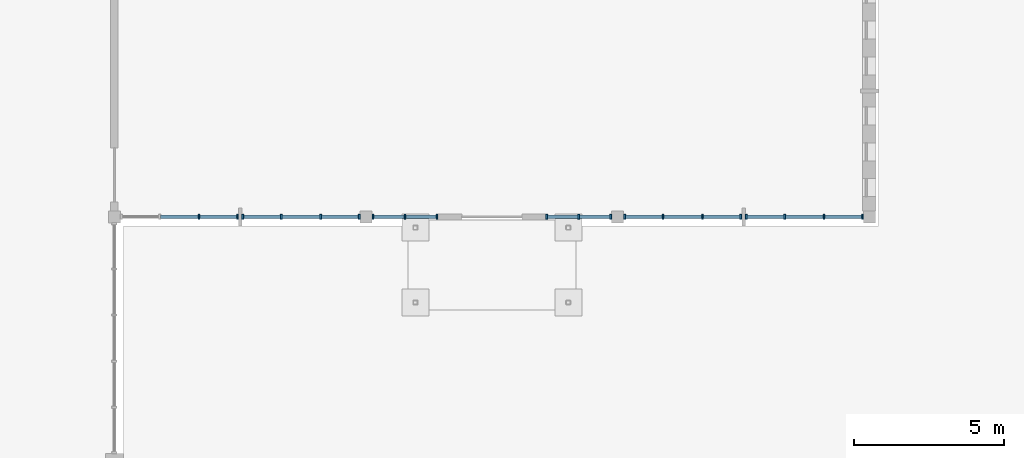
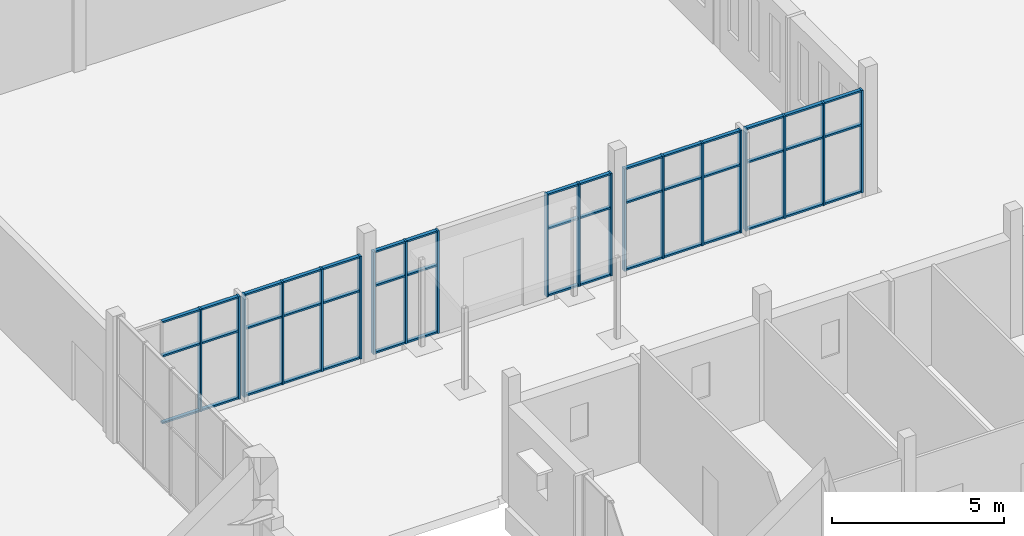
# One storey, part 24 of 60: 65 members, 6 elements without a shape of their own.
"""IFC4 building model written with IfcOpenShell, lengths in metres."""

from ifc_helpers import new_model, si_unit, direction, frame, origin, origin_2d, place, context, subcontext, project, spatial, rectangle, extrude, material, material_profile, profile_set, type_object, element, aggregate, save


model = new_model("IFC4")

# Units and contexts
model_context = context("Model", 3, precision=1e-05, world=origin(), true_north=direction((0.0, 1.0)))
body_context = subcontext(model_context, "Body", "Model", "MODEL_VIEW")
ifc_project = project(units=[si_unit("LENGTHUNIT", "METRE"), si_unit("AREAUNIT", "SQUARE_METRE"), si_unit("VOLUMEUNIT", "CUBIC_METRE"), si_unit("PLANEANGLEUNIT", "RADIAN"), si_unit("MASSUNIT", "GRAM", prefix="KILO")], contexts=[model_context])

# Site, building, storey
site_placement = place(None, origin())
site = spatial("IfcSite", under=ifc_project, at=site_placement, CompositionType="ELEMENT")
building_placement = place(site_placement, origin())
building = spatial("IfcBuilding", under=site, at=building_placement, Name="Fescue Hill Polytechnic", CompositionType="ELEMENT")
storey_placement = place(building_placement, frame((0.0, 0.0, 4.5)))
storey = spatial("IfcBuildingStorey", under=building, at=storey_placement, Name="L01", CompositionType="ELEMENT", Elevation=4.5)

# Curtain wall, members
ifc_material_1 = material(Name="Glass", Category="glass")
curtain_wall_type = type_object("IfcCurtainWallType", Name="Curtain wall structural glazing", PredefinedType="NOTDEFINED", material=ifc_material_1)
curtain_wall_1_placement = place(storey_placement, origin())
curtain_wall_1 = element("IfcCurtainWall", 1, at=curtain_wall_1_placement, inside=storey, type_object=curtain_wall_type, Name="CW-L01-V2-1", PredefinedType="NOTDEFINED")
ifc_material_2 = material(Name="Powder-coated aluminium", Category="aluminium")
ifc_material_profile_1 = material_profile(ifc_material_2, rectangle(XDim=0.159912109375, YDim=0.06005859375, at=origin_2d()), Name="Mullion aluminium 60x160")
ifc_profile_set_1 = profile_set([ifc_material_profile_1], Name="Powder-coated aluminium")
member_type_1 = type_object("IfcMemberType", Name="Mullion aluminium 60x160", PredefinedType="MULLION", material=ifc_profile_set_1)
member_1_placement = place(storey_placement, frame((120.4267578125, 58.800048828125, 0.0), z_axis=(0.0, 0.0, 1.0), x_axis=(0.0, 1.0, 0.0)))
member_1 = element("IfcMember", 2, at=member_1_placement, type_object=member_type_1, Name="CW41 mullion 3", PredefinedType="MULLION", context=body_context, shape_type="SweptSolid", body=[
    extrude(rectangle(XDim=0.159912109375, YDim=0.06005859375, at=origin_2d()), origin(), (0.0, 0.0, 1.0), 3.6298828125),
])
member_2_placement = place(storey_placement, frame((121.7099609375, 58.800048828125, 0.0), z_axis=(0.0, 0.0, 1.0), x_axis=(0.0, 1.0, 0.0)))
member_2 = element("IfcMember", 3, at=member_2_placement, type_object=member_type_1, Name="CW41 mullion 4", PredefinedType="MULLION", context=body_context, shape_type="SweptSolid", body=[
    extrude(rectangle(XDim=0.159912109375, YDim=0.06005859375, at=origin_2d()), origin(), (0.0, 0.0, 1.0), 3.6298828125),
])

curtain_wall_2_placement = place(storey_placement, origin())
curtain_wall_2 = element("IfcCurtainWall", 4, at=curtain_wall_2_placement, inside=storey, type_object=curtain_wall_type, Name="CW-L01-V2-2", PredefinedType="NOTDEFINED")
member_3_placement = place(storey_placement, frame((121.889892578125, 58.800048828125, 0.0), z_axis=(0.0, 0.0, 1.0), x_axis=(0.0, 1.0, 0.0)))
member_3 = element("IfcMember", 5, at=member_3_placement, type_object=member_type_1, Name="CW42 mullion 1", PredefinedType="MULLION", context=body_context, shape_type="SweptSolid", body=[
    extrude(rectangle(XDim=0.159912109375, YDim=0.06005859375, at=origin_2d()), origin(), (0.0, 0.0, 1.0), 3.6298828125),
])
member_4_placement = place(storey_placement, frame((123.17333984375, 58.800048828125, 0.0), z_axis=(0.0, 0.0, 1.0), x_axis=(0.0, 1.0, 0.0)))
member_4 = element("IfcMember", 6, at=member_4_placement, type_object=member_type_1, Name="CW42 mullion 2", PredefinedType="MULLION", context=body_context, shape_type="SweptSolid", body=[
    extrude(rectangle(XDim=0.159912109375, YDim=0.06005859375, at=origin_2d()), origin(), (0.0, 0.0, 1.0), 3.6298828125),
])
member_5_placement = place(storey_placement, frame((124.486572265625, 58.800048828125, 0.0), z_axis=(0.0, 0.0, 1.0), x_axis=(0.0, 1.0, 0.0)))
member_5 = element("IfcMember", 7, at=member_5_placement, type_object=member_type_1, Name="CW42 mullion 3", PredefinedType="MULLION", context=body_context, shape_type="SweptSolid", body=[
    extrude(rectangle(XDim=0.159912109375, YDim=0.06005859375, at=origin_2d()), origin(), (0.0, 0.0, 1.0), 3.6298828125),
])
member_6_placement = place(storey_placement, frame((125.77001953125, 58.800048828125, 0.0), z_axis=(0.0, 0.0, 1.0), x_axis=(0.0, 1.0, 0.0)))
member_6 = element("IfcMember", 8, at=member_6_placement, type_object=member_type_1, Name="CW42 mullion 4", PredefinedType="MULLION", context=body_context, shape_type="SweptSolid", body=[
    extrude(rectangle(XDim=0.159912109375, YDim=0.06005859375, at=origin_2d()), origin(), (0.0, 0.0, 1.0), 3.6298828125),
])

curtain_wall_3_placement = place(storey_placement, origin())
curtain_wall_3 = element("IfcCurtainWall", 9, at=curtain_wall_3_placement, inside=storey, type_object=curtain_wall_type, Name="CW-L01-V2-3", PredefinedType="NOTDEFINED")
member_7_placement = place(storey_placement, frame((126.22998046875, 58.800048828125, 0.0), z_axis=(0.0, 0.0, 1.0), x_axis=(0.0, 1.0, 0.0)))
member_7 = element("IfcMember", 10, at=member_7_placement, type_object=member_type_1, Name="CW43 mullion 1", PredefinedType="MULLION", context=body_context, shape_type="SweptSolid", body=[
    extrude(rectangle(XDim=0.159912109375, YDim=0.06005859375, at=origin_2d()), origin(), (0.0, 0.0, 1.0), 3.6298828125),
])
member_8_placement = place(storey_placement, frame((127.300048828125, 58.800048828125, 0.0), z_axis=(0.0, 0.0, 1.0), x_axis=(0.0, 1.0, 0.0)))
member_8 = element("IfcMember", 11, at=member_8_placement, type_object=member_type_1, Name="CW43 mullion 2", PredefinedType="MULLION", context=body_context, shape_type="SweptSolid", body=[
    extrude(rectangle(XDim=0.159912109375, YDim=0.06005859375, at=origin_2d()), origin(), (0.0, 0.0, 1.0), 3.6298828125),
])
member_9_placement = place(storey_placement, frame((128.3701171875, 58.800048828125, 0.0), z_axis=(0.0, 0.0, 1.0), x_axis=(0.0, 1.0, 0.0)))
member_9 = element("IfcMember", 12, at=member_9_placement, type_object=member_type_1, Name="CW43 mullion 3", PredefinedType="MULLION", context=body_context, shape_type="SweptSolid", body=[
    extrude(rectangle(XDim=0.159912109375, YDim=0.06005859375, at=origin_2d()), origin(), (0.0, 0.0, 1.0), 3.6298828125),
])

curtain_wall_4_placement = place(storey_placement, origin())
curtain_wall_4 = element("IfcCurtainWall", 13, at=curtain_wall_4_placement, inside=storey, type_object=curtain_wall_type, Name="CW-L01-V2-4", PredefinedType="NOTDEFINED")
member_10_placement = place(storey_placement, frame((132.030029296875, 58.800048828125, 0.0), z_axis=(0.0, 0.0, 1.0), x_axis=(0.0, 1.0, 0.0)))
member_10 = element("IfcMember", 14, at=member_10_placement, type_object=member_type_1, Name="CW44 mullion 1", PredefinedType="MULLION", context=body_context, shape_type="SweptSolid", body=[
    extrude(rectangle(XDim=0.159912109375, YDim=0.06005859375, at=origin_2d()), origin(), (0.0, 0.0, 1.0), 3.6298828125),
])
member_11_placement = place(storey_placement, frame((133.10009765625, 58.800048828125, 0.0), z_axis=(0.0, 0.0, 1.0), x_axis=(0.0, 1.0, 0.0)))
member_11 = element("IfcMember", 15, at=member_11_placement, type_object=member_type_1, Name="CW44 mullion 2", PredefinedType="MULLION", context=body_context, shape_type="SweptSolid", body=[
    extrude(rectangle(XDim=0.159912109375, YDim=0.06005859375, at=origin_2d()), origin(), (0.0, 0.0, 1.0), 3.6298828125),
])
member_12_placement = place(storey_placement, frame((134.169921875, 58.800048828125, 0.0), z_axis=(0.0, 0.0, 1.0), x_axis=(0.0, 1.0, 0.0)))
member_12 = element("IfcMember", 16, at=member_12_placement, type_object=member_type_1, Name="CW44 mullion 3", PredefinedType="MULLION", context=body_context, shape_type="SweptSolid", body=[
    extrude(rectangle(XDim=0.159912109375, YDim=0.06005859375, at=origin_2d()), origin(), (0.0, 0.0, 1.0), 3.6298828125),
])

curtain_wall_5_placement = place(storey_placement, origin())
curtain_wall_5 = element("IfcCurtainWall", 17, at=curtain_wall_5_placement, inside=storey, type_object=curtain_wall_type, Name="CW-L01-V2-5", PredefinedType="NOTDEFINED")
member_13_placement = place(storey_placement, frame((134.6298828125, 58.800048828125, 0.0), z_axis=(0.0, 0.0, 1.0), x_axis=(0.0, 1.0, 0.0)))
member_13 = element("IfcMember", 18, at=member_13_placement, type_object=member_type_1, Name="CW45 mullion 1", PredefinedType="MULLION", context=body_context, shape_type="SweptSolid", body=[
    extrude(rectangle(XDim=0.159912109375, YDim=0.06005859375, at=origin_2d()), origin(), (0.0, 0.0, 1.0), 3.6298828125),
])
member_14_placement = place(storey_placement, frame((135.913330078125, 58.800048828125, 0.0), z_axis=(0.0, 0.0, 1.0), x_axis=(0.0, 1.0, 0.0)))
member_14 = element("IfcMember", 19, at=member_14_placement, type_object=member_type_1, Name="CW45 mullion 2", PredefinedType="MULLION", context=body_context, shape_type="SweptSolid", body=[
    extrude(rectangle(XDim=0.159912109375, YDim=0.06005859375, at=origin_2d()), origin(), (0.0, 0.0, 1.0), 3.6298828125),
])
member_15_placement = place(storey_placement, frame((137.2265625, 58.800048828125, 0.0), z_axis=(0.0, 0.0, 1.0), x_axis=(0.0, 1.0, 0.0)))
member_15 = element("IfcMember", 20, at=member_15_placement, type_object=member_type_1, Name="CW45 mullion 3", PredefinedType="MULLION", context=body_context, shape_type="SweptSolid", body=[
    extrude(rectangle(XDim=0.159912109375, YDim=0.06005859375, at=origin_2d()), origin(), (0.0, 0.0, 1.0), 3.6298828125),
])
member_16_placement = place(storey_placement, frame((138.510009765625, 58.800048828125, 0.0), z_axis=(0.0, 0.0, 1.0), x_axis=(0.0, 1.0, 0.0)))
member_16 = element("IfcMember", 21, at=member_16_placement, type_object=member_type_1, Name="CW45 mullion 4", PredefinedType="MULLION", context=body_context, shape_type="SweptSolid", body=[
    extrude(rectangle(XDim=0.159912109375, YDim=0.06005859375, at=origin_2d()), origin(), (0.0, 0.0, 1.0), 3.6298828125),
])

curtain_wall_6_placement = place(storey_placement, origin())
curtain_wall_6 = element("IfcCurtainWall", 22, at=curtain_wall_6_placement, inside=storey, type_object=curtain_wall_type, Name="CW-L01-V2-6", PredefinedType="NOTDEFINED")
member_17_placement = place(storey_placement, frame((138.68994140625, 58.800048828125, 0.0), z_axis=(0.0, 0.0, 1.0), x_axis=(0.0, 1.0, 0.0)))
member_17 = element("IfcMember", 23, at=member_17_placement, type_object=member_type_1, Name="CW46 mullion 1", PredefinedType="MULLION", context=body_context, shape_type="SweptSolid", body=[
    extrude(rectangle(XDim=0.159912109375, YDim=0.06005859375, at=origin_2d()), origin(), (0.0, 0.0, 1.0), 3.6298828125),
])
member_18_placement = place(storey_placement, frame((139.973388671875, 58.800048828125, 0.0), z_axis=(0.0, 0.0, 1.0), x_axis=(0.0, 1.0, 0.0)))
member_18 = element("IfcMember", 24, at=member_18_placement, type_object=member_type_1, Name="CW46 mullion 2", PredefinedType="MULLION", context=body_context, shape_type="SweptSolid", body=[
    extrude(rectangle(XDim=0.159912109375, YDim=0.06005859375, at=origin_2d()), origin(), (0.0, 0.0, 1.0), 3.6298828125),
])
member_19_placement = place(storey_placement, frame((141.28662109375, 58.800048828125, 0.0), z_axis=(0.0, 0.0, 1.0), x_axis=(0.0, 1.0, 0.0)))
member_19 = element("IfcMember", 25, at=member_19_placement, type_object=member_type_1, Name="CW46 mullion 3", PredefinedType="MULLION", context=body_context, shape_type="SweptSolid", body=[
    extrude(rectangle(XDim=0.159912109375, YDim=0.06005859375, at=origin_2d()), origin(), (0.0, 0.0, 1.0), 3.6298828125),
])
member_20_placement = place(storey_placement, frame((142.570068359375, 58.800048828125, 0.0), z_axis=(0.0, 0.0, 1.0), x_axis=(0.0, 1.0, 0.0)))
member_20 = element("IfcMember", 26, at=member_20_placement, type_object=member_type_1, Name="CW46 mullion 4", PredefinedType="MULLION", context=body_context, shape_type="SweptSolid", body=[
    extrude(rectangle(XDim=0.159912109375, YDim=0.06005859375, at=origin_2d()), origin(), (0.0, 0.0, 1.0), 3.6298828125),
])

# Member
ifc_material_profile_2 = material_profile(ifc_material_2, rectangle(XDim=0.1201171875, YDim=0.06005859375, at=origin_2d()), Name="Transom aluminium 60x120")
ifc_profile_set_2 = profile_set([ifc_material_profile_2], Name="Powder-coated aluminium")
member_type_2 = type_object("IfcMemberType", Name="Transom aluminium 60x120", PredefinedType="USERDEFINED", material=ifc_profile_set_2)
member_21_placement = place(storey_placement, frame((119.143310546875, 58.800048828125, 0.030029296875), z_axis=(1.0, 0.0, 0.0), x_axis=(0.0, 1.0, 0.0)))
member_21 = element("IfcMember", 27, at=member_21_placement, type_object=member_type_2, Name="CW41 transom 2.1", ObjectType="TRANSOM", PredefinedType="USERDEFINED", context=body_context, shape_type="SweptSolid", body=[
    extrude(rectangle(XDim=0.1201171875, YDim=0.06005859375, at=origin_2d()), origin(), (0.0, 0.0, 1.0), 1.25341796875),
])

member_22_placement = place(storey_placement, frame((119.143310546875, 58.800048828125, 2.39990234375), z_axis=(1.0, 0.0, 0.0), x_axis=(0.0, 1.0, 0.0)))
member_22 = element("IfcMember", 28, at=member_22_placement, type_object=member_type_2, Name="CW41 transom 2.2", ObjectType="TRANSOM", PredefinedType="USERDEFINED", context=body_context, shape_type="SweptSolid", body=[
    extrude(rectangle(XDim=0.1201171875, YDim=0.06005859375, at=origin_2d()), origin(), (0.0, 0.0, 1.0), 1.25341796875),
])

member_23_placement = place(storey_placement, frame((119.143310546875, 58.800048828125, 3.60009765625), z_axis=(1.0, 0.0, 0.0), x_axis=(0.0, 1.0, 0.0)))
member_23 = element("IfcMember", 29, at=member_23_placement, type_object=member_type_2, Name="CW41 transom 2.3", ObjectType="TRANSOM", PredefinedType="USERDEFINED", context=body_context, shape_type="SweptSolid", body=[
    extrude(rectangle(XDim=0.1201171875, YDim=0.06005859375, at=origin_2d()), origin(), (0.0, 0.0, 1.0), 1.25341796875),
])

member_24_placement = place(storey_placement, frame((120.456787109375, 58.800048828125, 0.030029296875), z_axis=(1.0, 0.0, 0.0), x_axis=(0.0, 1.0, 0.0)))
member_24 = element("IfcMember", 30, at=member_24_placement, type_object=member_type_2, Name="CW41 transom 3.1", ObjectType="TRANSOM", PredefinedType="USERDEFINED", context=body_context, shape_type="SweptSolid", body=[
    extrude(rectangle(XDim=0.1201171875, YDim=0.06005859375, at=origin_2d()), origin(), (0.0, 0.0, 1.0), 1.22314453125),
])

member_25_placement = place(storey_placement, frame((120.456787109375, 58.800048828125, 2.39990234375), z_axis=(1.0, 0.0, 0.0), x_axis=(0.0, 1.0, 0.0)))
member_25 = element("IfcMember", 31, at=member_25_placement, type_object=member_type_2, Name="CW41 transom 3.2", ObjectType="TRANSOM", PredefinedType="USERDEFINED", context=body_context, shape_type="SweptSolid", body=[
    extrude(rectangle(XDim=0.1201171875, YDim=0.06005859375, at=origin_2d()), origin(), (0.0, 0.0, 1.0), 1.22314453125),
])

member_26_placement = place(storey_placement, frame((120.456787109375, 58.800048828125, 3.60009765625), z_axis=(1.0, 0.0, 0.0), x_axis=(0.0, 1.0, 0.0)))
member_26 = element("IfcMember", 32, at=member_26_placement, type_object=member_type_2, Name="CW41 transom 3.3", ObjectType="TRANSOM", PredefinedType="USERDEFINED", context=body_context, shape_type="SweptSolid", body=[
    extrude(rectangle(XDim=0.1201171875, YDim=0.06005859375, at=origin_2d()), origin(), (0.0, 0.0, 1.0), 1.22314453125),
])

aggregate(curtain_wall_1, [member_1, member_2, member_21, member_22, member_23, member_24, member_25, member_26])

member_27_placement = place(storey_placement, frame((121.919921875, 58.800048828125, 0.030029296875), z_axis=(1.0, 0.0, 0.0), x_axis=(0.0, 1.0, 0.0)))
member_27 = element("IfcMember", 33, at=member_27_placement, type_object=member_type_2, Name="CW42 transom 1.1", ObjectType="TRANSOM", PredefinedType="USERDEFINED", context=body_context, shape_type="SweptSolid", body=[
    extrude(rectangle(XDim=0.1201171875, YDim=0.06005859375, at=origin_2d()), origin(), (0.0, 0.0, 1.0), 1.223388671875),
])

member_28_placement = place(storey_placement, frame((121.919921875, 58.800048828125, 2.39990234375), z_axis=(1.0, 0.0, 0.0), x_axis=(0.0, 1.0, 0.0)))
member_28 = element("IfcMember", 34, at=member_28_placement, type_object=member_type_2, Name="CW42 transom 1.2", ObjectType="TRANSOM", PredefinedType="USERDEFINED", context=body_context, shape_type="SweptSolid", body=[
    extrude(rectangle(XDim=0.1201171875, YDim=0.06005859375, at=origin_2d()), origin(), (0.0, 0.0, 1.0), 1.223388671875),
])

member_29_placement = place(storey_placement, frame((121.919921875, 58.800048828125, 3.60009765625), z_axis=(1.0, 0.0, 0.0), x_axis=(0.0, 1.0, 0.0)))
member_29 = element("IfcMember", 35, at=member_29_placement, type_object=member_type_2, Name="CW42 transom 1.3", ObjectType="TRANSOM", PredefinedType="USERDEFINED", context=body_context, shape_type="SweptSolid", body=[
    extrude(rectangle(XDim=0.1201171875, YDim=0.06005859375, at=origin_2d()), origin(), (0.0, 0.0, 1.0), 1.223388671875),
])

member_30_placement = place(storey_placement, frame((123.203369140625, 58.800048828125, 0.030029296875), z_axis=(1.0, 0.0, 0.0), x_axis=(0.0, 1.0, 0.0)))
member_30 = element("IfcMember", 36, at=member_30_placement, type_object=member_type_2, Name="CW42 transom 2.1", ObjectType="TRANSOM", PredefinedType="USERDEFINED", context=body_context, shape_type="SweptSolid", body=[
    extrude(rectangle(XDim=0.1201171875, YDim=0.06005859375, at=origin_2d()), origin(), (0.0, 0.0, 1.0), 1.25341796875),
])

member_31_placement = place(storey_placement, frame((123.203369140625, 58.800048828125, 2.39990234375), z_axis=(1.0, 0.0, 0.0), x_axis=(0.0, 1.0, 0.0)))
member_31 = element("IfcMember", 37, at=member_31_placement, type_object=member_type_2, Name="CW42 transom 2.2", ObjectType="TRANSOM", PredefinedType="USERDEFINED", context=body_context, shape_type="SweptSolid", body=[
    extrude(rectangle(XDim=0.1201171875, YDim=0.06005859375, at=origin_2d()), origin(), (0.0, 0.0, 1.0), 1.25341796875),
])

member_32_placement = place(storey_placement, frame((123.203369140625, 58.800048828125, 3.60009765625), z_axis=(1.0, 0.0, 0.0), x_axis=(0.0, 1.0, 0.0)))
member_32 = element("IfcMember", 38, at=member_32_placement, type_object=member_type_2, Name="CW42 transom 2.3", ObjectType="TRANSOM", PredefinedType="USERDEFINED", context=body_context, shape_type="SweptSolid", body=[
    extrude(rectangle(XDim=0.1201171875, YDim=0.06005859375, at=origin_2d()), origin(), (0.0, 0.0, 1.0), 1.25341796875),
])

member_33_placement = place(storey_placement, frame((124.5166015625, 58.800048828125, 0.030029296875), z_axis=(1.0, 0.0, 0.0), x_axis=(0.0, 1.0, 0.0)))
member_33 = element("IfcMember", 39, at=member_33_placement, type_object=member_type_2, Name="CW42 transom 3.1", ObjectType="TRANSOM", PredefinedType="USERDEFINED", context=body_context, shape_type="SweptSolid", body=[
    extrude(rectangle(XDim=0.1201171875, YDim=0.06005859375, at=origin_2d()), origin(), (0.0, 0.0, 1.0), 1.223388671875),
])

member_34_placement = place(storey_placement, frame((124.5166015625, 58.800048828125, 2.39990234375), z_axis=(1.0, 0.0, 0.0), x_axis=(0.0, 1.0, 0.0)))
member_34 = element("IfcMember", 40, at=member_34_placement, type_object=member_type_2, Name="CW42 transom 3.2", ObjectType="TRANSOM", PredefinedType="USERDEFINED", context=body_context, shape_type="SweptSolid", body=[
    extrude(rectangle(XDim=0.1201171875, YDim=0.06005859375, at=origin_2d()), origin(), (0.0, 0.0, 1.0), 1.223388671875),
])

member_35_placement = place(storey_placement, frame((124.5166015625, 58.800048828125, 3.60009765625), z_axis=(1.0, 0.0, 0.0), x_axis=(0.0, 1.0, 0.0)))
member_35 = element("IfcMember", 41, at=member_35_placement, type_object=member_type_2, Name="CW42 transom 3.3", ObjectType="TRANSOM", PredefinedType="USERDEFINED", context=body_context, shape_type="SweptSolid", body=[
    extrude(rectangle(XDim=0.1201171875, YDim=0.06005859375, at=origin_2d()), origin(), (0.0, 0.0, 1.0), 1.223388671875),
])

aggregate(curtain_wall_2, [member_3, member_4, member_5, member_6, member_27, member_28, member_29, member_30, member_31, member_32, member_33, member_34, member_35])

member_36_placement = place(storey_placement, frame((126.260009765625, 58.800048828125, 0.030029296875), z_axis=(1.0, 0.0, 0.0), x_axis=(0.0, 1.0, 0.0)))
member_36 = element("IfcMember", 42, at=member_36_placement, type_object=member_type_2, Name="CW43 transom 1.1", ObjectType="TRANSOM", PredefinedType="USERDEFINED", context=body_context, shape_type="SweptSolid", body=[
    extrude(rectangle(XDim=0.1201171875, YDim=0.06005859375, at=origin_2d()), origin(), (0.0, 0.0, 1.0), 1.010009765625),
])

member_37_placement = place(storey_placement, frame((126.260009765625, 58.800048828125, 2.39990234375), z_axis=(1.0, 0.0, 0.0), x_axis=(0.0, 1.0, 0.0)))
member_37 = element("IfcMember", 43, at=member_37_placement, type_object=member_type_2, Name="CW43 transom 1.2", ObjectType="TRANSOM", PredefinedType="USERDEFINED", context=body_context, shape_type="SweptSolid", body=[
    extrude(rectangle(XDim=0.1201171875, YDim=0.06005859375, at=origin_2d()), origin(), (0.0, 0.0, 1.0), 1.010009765625),
])

member_38_placement = place(storey_placement, frame((126.260009765625, 58.800048828125, 3.60009765625), z_axis=(1.0, 0.0, 0.0), x_axis=(0.0, 1.0, 0.0)))
member_38 = element("IfcMember", 44, at=member_38_placement, type_object=member_type_2, Name="CW43 transom 1.3", ObjectType="TRANSOM", PredefinedType="USERDEFINED", context=body_context, shape_type="SweptSolid", body=[
    extrude(rectangle(XDim=0.1201171875, YDim=0.06005859375, at=origin_2d()), origin(), (0.0, 0.0, 1.0), 1.010009765625),
])

member_39_placement = place(storey_placement, frame((127.330078125, 58.800048828125, 0.030029296875), z_axis=(1.0, 0.0, 0.0), x_axis=(0.0, 1.0, 0.0)))
member_39 = element("IfcMember", 45, at=member_39_placement, type_object=member_type_2, Name="CW43 transom 2.1", ObjectType="TRANSOM", PredefinedType="USERDEFINED", context=body_context, shape_type="SweptSolid", body=[
    extrude(rectangle(XDim=0.1201171875, YDim=0.06005859375, at=origin_2d()), origin(), (0.0, 0.0, 1.0), 1.010009765625),
])

member_40_placement = place(storey_placement, frame((127.330078125, 58.800048828125, 2.39990234375), z_axis=(1.0, 0.0, 0.0), x_axis=(0.0, 1.0, 0.0)))
member_40 = element("IfcMember", 46, at=member_40_placement, type_object=member_type_2, Name="CW43 transom 2.2", ObjectType="TRANSOM", PredefinedType="USERDEFINED", context=body_context, shape_type="SweptSolid", body=[
    extrude(rectangle(XDim=0.1201171875, YDim=0.06005859375, at=origin_2d()), origin(), (0.0, 0.0, 1.0), 1.010009765625),
])

member_41_placement = place(storey_placement, frame((127.330078125, 58.800048828125, 3.60009765625), z_axis=(1.0, 0.0, 0.0), x_axis=(0.0, 1.0, 0.0)))
member_41 = element("IfcMember", 47, at=member_41_placement, type_object=member_type_2, Name="CW43 transom 2.3", ObjectType="TRANSOM", PredefinedType="USERDEFINED", context=body_context, shape_type="SweptSolid", body=[
    extrude(rectangle(XDim=0.1201171875, YDim=0.06005859375, at=origin_2d()), origin(), (0.0, 0.0, 1.0), 1.010009765625),
])

aggregate(curtain_wall_3, [member_7, member_8, member_9, member_36, member_37, member_38, member_39, member_40, member_41])

member_42_placement = place(storey_placement, frame((132.06005859375, 58.800048828125, 0.030029296875), z_axis=(1.0, 0.0, 0.0), x_axis=(0.0, 1.0, 0.0)))
member_42 = element("IfcMember", 48, at=member_42_placement, type_object=member_type_2, Name="CW44 transom 1.1", ObjectType="TRANSOM", PredefinedType="USERDEFINED", context=body_context, shape_type="SweptSolid", body=[
    extrude(rectangle(XDim=0.1201171875, YDim=0.06005859375, at=origin_2d()), origin(), (0.0, 0.0, 1.0), 1.010009765625),
])

member_43_placement = place(storey_placement, frame((132.06005859375, 58.800048828125, 2.39990234375), z_axis=(1.0, 0.0, 0.0), x_axis=(0.0, 1.0, 0.0)))
member_43 = element("IfcMember", 49, at=member_43_placement, type_object=member_type_2, Name="CW44 transom 1.2", ObjectType="TRANSOM", PredefinedType="USERDEFINED", context=body_context, shape_type="SweptSolid", body=[
    extrude(rectangle(XDim=0.1201171875, YDim=0.06005859375, at=origin_2d()), origin(), (0.0, 0.0, 1.0), 1.010009765625),
])

member_44_placement = place(storey_placement, frame((132.06005859375, 58.800048828125, 3.60009765625), z_axis=(1.0, 0.0, 0.0), x_axis=(0.0, 1.0, 0.0)))
member_44 = element("IfcMember", 50, at=member_44_placement, type_object=member_type_2, Name="CW44 transom 1.3", ObjectType="TRANSOM", PredefinedType="USERDEFINED", context=body_context, shape_type="SweptSolid", body=[
    extrude(rectangle(XDim=0.1201171875, YDim=0.06005859375, at=origin_2d()), origin(), (0.0, 0.0, 1.0), 1.010009765625),
])

member_45_placement = place(storey_placement, frame((133.1298828125, 58.800048828125, 0.030029296875), z_axis=(1.0, 0.0, 0.0), x_axis=(0.0, 1.0, 0.0)))
member_45 = element("IfcMember", 51, at=member_45_placement, type_object=member_type_2, Name="CW44 transom 2.1", ObjectType="TRANSOM", PredefinedType="USERDEFINED", context=body_context, shape_type="SweptSolid", body=[
    extrude(rectangle(XDim=0.1201171875, YDim=0.06005859375, at=origin_2d()), origin(), (0.0, 0.0, 1.0), 1.010009765625),
])

member_46_placement = place(storey_placement, frame((133.1298828125, 58.800048828125, 2.39990234375), z_axis=(1.0, 0.0, 0.0), x_axis=(0.0, 1.0, 0.0)))
member_46 = element("IfcMember", 52, at=member_46_placement, type_object=member_type_2, Name="CW44 transom 2.2", ObjectType="TRANSOM", PredefinedType="USERDEFINED", context=body_context, shape_type="SweptSolid", body=[
    extrude(rectangle(XDim=0.1201171875, YDim=0.06005859375, at=origin_2d()), origin(), (0.0, 0.0, 1.0), 1.010009765625),
])

member_47_placement = place(storey_placement, frame((133.1298828125, 58.800048828125, 3.60009765625), z_axis=(1.0, 0.0, 0.0), x_axis=(0.0, 1.0, 0.0)))
member_47 = element("IfcMember", 53, at=member_47_placement, type_object=member_type_2, Name="CW44 transom 2.3", ObjectType="TRANSOM", PredefinedType="USERDEFINED", context=body_context, shape_type="SweptSolid", body=[
    extrude(rectangle(XDim=0.1201171875, YDim=0.06005859375, at=origin_2d()), origin(), (0.0, 0.0, 1.0), 1.010009765625),
])

aggregate(curtain_wall_4, [member_10, member_11, member_12, member_42, member_43, member_44, member_45, member_46, member_47])

member_48_placement = place(storey_placement, frame((134.659912109375, 58.800048828125, 0.030029296875), z_axis=(1.0, 0.0, 0.0), x_axis=(0.0, 1.0, 0.0)))
member_48 = element("IfcMember", 54, at=member_48_placement, type_object=member_type_2, Name="CW45 transom 1.1", ObjectType="TRANSOM", PredefinedType="USERDEFINED", context=body_context, shape_type="SweptSolid", body=[
    extrude(rectangle(XDim=0.1201171875, YDim=0.06005859375, at=origin_2d()), origin(), (0.0, 0.0, 1.0), 1.223388671875),
])

member_49_placement = place(storey_placement, frame((134.659912109375, 58.800048828125, 2.39990234375), z_axis=(1.0, 0.0, 0.0), x_axis=(0.0, 1.0, 0.0)))
member_49 = element("IfcMember", 55, at=member_49_placement, type_object=member_type_2, Name="CW45 transom 1.2", ObjectType="TRANSOM", PredefinedType="USERDEFINED", context=body_context, shape_type="SweptSolid", body=[
    extrude(rectangle(XDim=0.1201171875, YDim=0.06005859375, at=origin_2d()), origin(), (0.0, 0.0, 1.0), 1.223388671875),
])

member_50_placement = place(storey_placement, frame((134.659912109375, 58.800048828125, 3.60009765625), z_axis=(1.0, 0.0, 0.0), x_axis=(0.0, 1.0, 0.0)))
member_50 = element("IfcMember", 56, at=member_50_placement, type_object=member_type_2, Name="CW45 transom 1.3", ObjectType="TRANSOM", PredefinedType="USERDEFINED", context=body_context, shape_type="SweptSolid", body=[
    extrude(rectangle(XDim=0.1201171875, YDim=0.06005859375, at=origin_2d()), origin(), (0.0, 0.0, 1.0), 1.223388671875),
])

member_51_placement = place(storey_placement, frame((135.943359375, 58.800048828125, 0.030029296875), z_axis=(1.0, 0.0, 0.0), x_axis=(0.0, 1.0, 0.0)))
member_51 = element("IfcMember", 57, at=member_51_placement, type_object=member_type_2, Name="CW45 transom 2.1", ObjectType="TRANSOM", PredefinedType="USERDEFINED", context=body_context, shape_type="SweptSolid", body=[
    extrude(rectangle(XDim=0.1201171875, YDim=0.06005859375, at=origin_2d()), origin(), (0.0, 0.0, 1.0), 1.25341796875),
])

member_52_placement = place(storey_placement, frame((135.943359375, 58.800048828125, 2.39990234375), z_axis=(1.0, 0.0, 0.0), x_axis=(0.0, 1.0, 0.0)))
member_52 = element("IfcMember", 58, at=member_52_placement, type_object=member_type_2, Name="CW45 transom 2.2", ObjectType="TRANSOM", PredefinedType="USERDEFINED", context=body_context, shape_type="SweptSolid", body=[
    extrude(rectangle(XDim=0.1201171875, YDim=0.06005859375, at=origin_2d()), origin(), (0.0, 0.0, 1.0), 1.25341796875),
])

member_53_placement = place(storey_placement, frame((135.943359375, 58.800048828125, 3.60009765625), z_axis=(1.0, 0.0, 0.0), x_axis=(0.0, 1.0, 0.0)))
member_53 = element("IfcMember", 59, at=member_53_placement, type_object=member_type_2, Name="CW45 transom 2.3", ObjectType="TRANSOM", PredefinedType="USERDEFINED", context=body_context, shape_type="SweptSolid", body=[
    extrude(rectangle(XDim=0.1201171875, YDim=0.06005859375, at=origin_2d()), origin(), (0.0, 0.0, 1.0), 1.25341796875),
])

member_54_placement = place(storey_placement, frame((137.256591796875, 58.800048828125, 0.030029296875), z_axis=(1.0, 0.0, 0.0), x_axis=(0.0, 1.0, 0.0)))
member_54 = element("IfcMember", 60, at=member_54_placement, type_object=member_type_2, Name="CW45 transom 3.1", ObjectType="TRANSOM", PredefinedType="USERDEFINED", context=body_context, shape_type="SweptSolid", body=[
    extrude(rectangle(XDim=0.1201171875, YDim=0.06005859375, at=origin_2d()), origin(), (0.0, 0.0, 1.0), 1.223388671875),
])

member_55_placement = place(storey_placement, frame((137.256591796875, 58.800048828125, 2.39990234375), z_axis=(1.0, 0.0, 0.0), x_axis=(0.0, 1.0, 0.0)))
member_55 = element("IfcMember", 61, at=member_55_placement, type_object=member_type_2, Name="CW45 transom 3.2", ObjectType="TRANSOM", PredefinedType="USERDEFINED", context=body_context, shape_type="SweptSolid", body=[
    extrude(rectangle(XDim=0.1201171875, YDim=0.06005859375, at=origin_2d()), origin(), (0.0, 0.0, 1.0), 1.223388671875),
])

member_56_placement = place(storey_placement, frame((137.256591796875, 58.800048828125, 3.60009765625), z_axis=(1.0, 0.0, 0.0), x_axis=(0.0, 1.0, 0.0)))
member_56 = element("IfcMember", 62, at=member_56_placement, type_object=member_type_2, Name="CW45 transom 3.3", ObjectType="TRANSOM", PredefinedType="USERDEFINED", context=body_context, shape_type="SweptSolid", body=[
    extrude(rectangle(XDim=0.1201171875, YDim=0.06005859375, at=origin_2d()), origin(), (0.0, 0.0, 1.0), 1.223388671875),
])

aggregate(curtain_wall_5, [member_13, member_14, member_15, member_16, member_48, member_49, member_50, member_51, member_52, member_53, member_54, member_55, member_56])

member_57_placement = place(storey_placement, frame((138.719970703125, 58.800048828125, 0.030029296875), z_axis=(1.0, 0.0, 0.0), x_axis=(0.0, 1.0, 0.0)))
member_57 = element("IfcMember", 63, at=member_57_placement, type_object=member_type_2, Name="CW46 transom 1.1", ObjectType="TRANSOM", PredefinedType="USERDEFINED", context=body_context, shape_type="SweptSolid", body=[
    extrude(rectangle(XDim=0.1201171875, YDim=0.06005859375, at=origin_2d()), origin(), (0.0, 0.0, 1.0), 1.223388671875),
])

member_58_placement = place(storey_placement, frame((138.719970703125, 58.800048828125, 2.39990234375), z_axis=(1.0, 0.0, 0.0), x_axis=(0.0, 1.0, 0.0)))
member_58 = element("IfcMember", 64, at=member_58_placement, type_object=member_type_2, Name="CW46 transom 1.2", ObjectType="TRANSOM", PredefinedType="USERDEFINED", context=body_context, shape_type="SweptSolid", body=[
    extrude(rectangle(XDim=0.1201171875, YDim=0.06005859375, at=origin_2d()), origin(), (0.0, 0.0, 1.0), 1.223388671875),
])

member_59_placement = place(storey_placement, frame((138.719970703125, 58.800048828125, 3.60009765625), z_axis=(1.0, 0.0, 0.0), x_axis=(0.0, 1.0, 0.0)))
member_59 = element("IfcMember", 65, at=member_59_placement, type_object=member_type_2, Name="CW46 transom 1.3", ObjectType="TRANSOM", PredefinedType="USERDEFINED", context=body_context, shape_type="SweptSolid", body=[
    extrude(rectangle(XDim=0.1201171875, YDim=0.06005859375, at=origin_2d()), origin(), (0.0, 0.0, 1.0), 1.223388671875),
])

member_60_placement = place(storey_placement, frame((140.00341796875, 58.800048828125, 0.030029296875), z_axis=(1.0, 0.0, 0.0), x_axis=(0.0, 1.0, 0.0)))
member_60 = element("IfcMember", 66, at=member_60_placement, type_object=member_type_2, Name="CW46 transom 2.1", ObjectType="TRANSOM", PredefinedType="USERDEFINED", context=body_context, shape_type="SweptSolid", body=[
    extrude(rectangle(XDim=0.1201171875, YDim=0.06005859375, at=origin_2d()), origin(), (0.0, 0.0, 1.0), 1.253173828125),
])

member_61_placement = place(storey_placement, frame((140.00341796875, 58.800048828125, 2.39990234375), z_axis=(1.0, 0.0, 0.0), x_axis=(0.0, 1.0, 0.0)))
member_61 = element("IfcMember", 67, at=member_61_placement, type_object=member_type_2, Name="CW46 transom 2.2", ObjectType="TRANSOM", PredefinedType="USERDEFINED", context=body_context, shape_type="SweptSolid", body=[
    extrude(rectangle(XDim=0.1201171875, YDim=0.06005859375, at=origin_2d()), origin(), (0.0, 0.0, 1.0), 1.253173828125),
])

member_62_placement = place(storey_placement, frame((140.00341796875, 58.800048828125, 3.60009765625), z_axis=(1.0, 0.0, 0.0), x_axis=(0.0, 1.0, 0.0)))
member_62 = element("IfcMember", 68, at=member_62_placement, type_object=member_type_2, Name="CW46 transom 2.3", ObjectType="TRANSOM", PredefinedType="USERDEFINED", context=body_context, shape_type="SweptSolid", body=[
    extrude(rectangle(XDim=0.1201171875, YDim=0.06005859375, at=origin_2d()), origin(), (0.0, 0.0, 1.0), 1.253173828125),
])

member_63_placement = place(storey_placement, frame((141.316650390625, 58.800048828125, 0.030029296875), z_axis=(1.0, 0.0, 0.0), x_axis=(0.0, 1.0, 0.0)))
member_63 = element("IfcMember", 69, at=member_63_placement, type_object=member_type_2, Name="CW46 transom 3.1", ObjectType="TRANSOM", PredefinedType="USERDEFINED", context=body_context, shape_type="SweptSolid", body=[
    extrude(rectangle(XDim=0.1201171875, YDim=0.06005859375, at=origin_2d()), origin(), (0.0, 0.0, 1.0), 1.223388671875),
])

member_64_placement = place(storey_placement, frame((141.316650390625, 58.800048828125, 2.39990234375), z_axis=(1.0, 0.0, 0.0), x_axis=(0.0, 1.0, 0.0)))
member_64 = element("IfcMember", 70, at=member_64_placement, type_object=member_type_2, Name="CW46 transom 3.2", ObjectType="TRANSOM", PredefinedType="USERDEFINED", context=body_context, shape_type="SweptSolid", body=[
    extrude(rectangle(XDim=0.1201171875, YDim=0.06005859375, at=origin_2d()), origin(), (0.0, 0.0, 1.0), 1.223388671875),
])

member_65_placement = place(storey_placement, frame((141.316650390625, 58.800048828125, 3.60009765625), z_axis=(1.0, 0.0, 0.0), x_axis=(0.0, 1.0, 0.0)))
member_65 = element("IfcMember", 71, at=member_65_placement, type_object=member_type_2, Name="CW46 transom 3.3", ObjectType="TRANSOM", PredefinedType="USERDEFINED", context=body_context, shape_type="SweptSolid", body=[
    extrude(rectangle(XDim=0.1201171875, YDim=0.06005859375, at=origin_2d()), origin(), (0.0, 0.0, 1.0), 1.223388671875),
])

aggregate(curtain_wall_6, [member_17, member_18, member_19, member_20, member_57, member_58, member_59, member_60, member_61, member_62, member_63, member_64, member_65])

save(model, "model.ifc")
